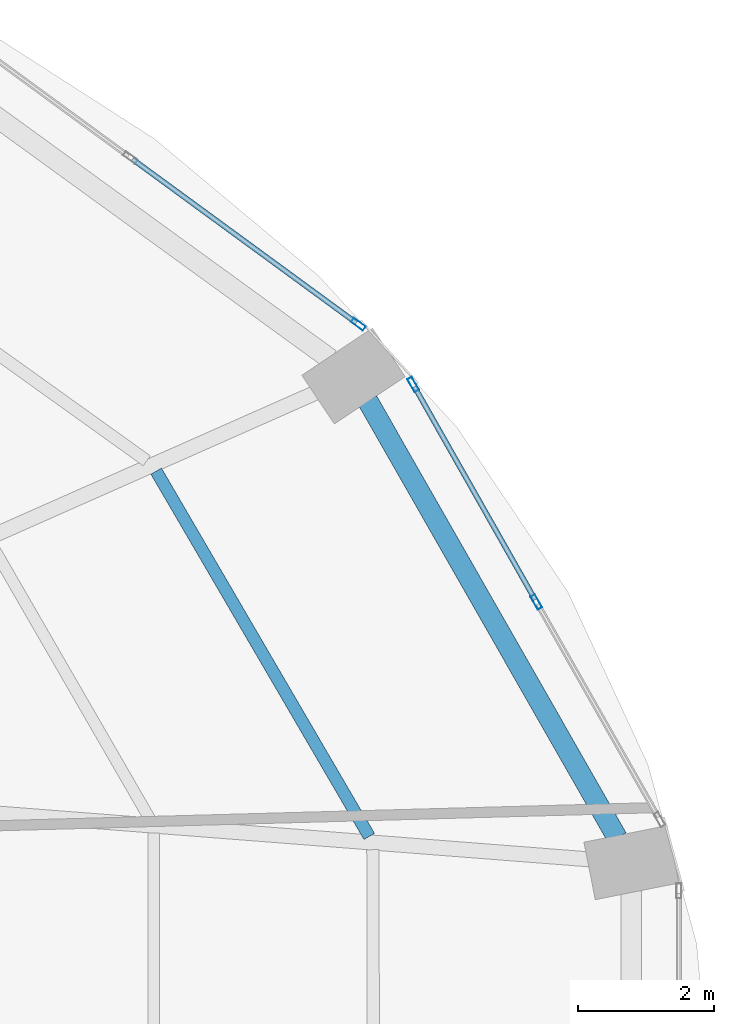
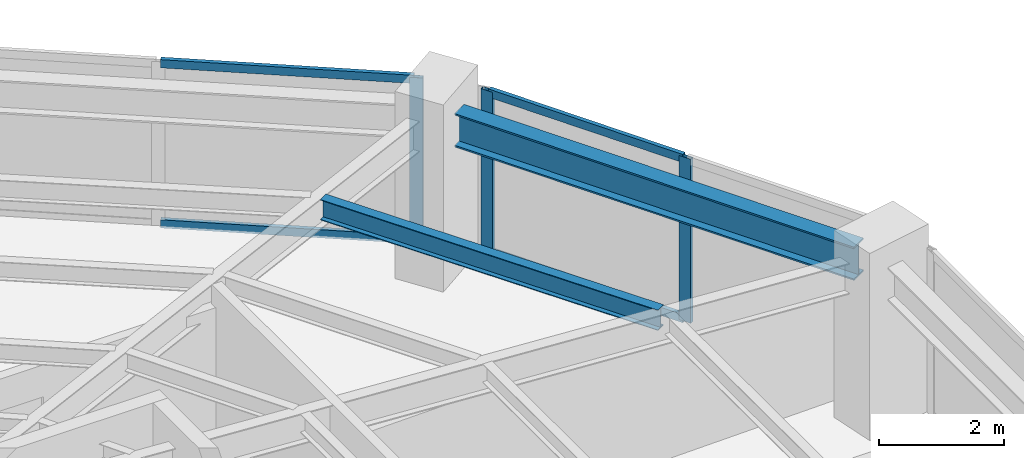
# One storey, part 18 of 24: 7 members, 2 beams, 2 elements without a shape of their own.
"""IFC4 building model written with IfcOpenShell, lengths in metres."""

import ifcopenshell
import ifcopenshell.guid

model = None  # the IFC model being written
_history = None  # IfcOwnerHistory: only IFC2X3 demands one
_inside = {}  # id of a spatial element -> (the spatial element, [elements in it])
_under = {}  # id of a project, library or spatial element -> (it, [spatial elements below it])
_declared = {}  # id of a project -> (the project, [libraries it declares])
_typed = {}  # id of a type object -> (the type object, [elements of that type])
_made_of = {}  # id of a material, layer set ... -> (it, [elements and type objects made of it])


def new_model(schema):
    """Start an empty IFC model of exactly this schema.

    Asked for "IFC4X3", IfcOpenShell would pick the latest addendum, in which some entities
    have other attributes; the version numbers below select the first issue.
    IFC2X3 requires an IfcOwnerHistory on every rooted entity: one is made here for all.
    """
    global model, _history
    if schema == "IFC4X3":
        model = ifcopenshell.file(schema_version=(4, 3, 0, 0))
    else:
        model = ifcopenshell.file(schema=schema)
    _inside.clear()
    _under.clear()
    _declared.clear()
    _typed.clear()
    _made_of.clear()
    _history = None
    if model.schema == "IFC2X3":
        org = make("IfcOrganization", Name="unknown")
        user = make(
            "IfcPersonAndOrganization",
            ThePerson=make("IfcPerson", FamilyName="unknown"),
            TheOrganization=org,
        )
        app = make(
            "IfcApplication",
            ApplicationDeveloper=org,
            Version="unknown",
            ApplicationFullName="unknown",
            ApplicationIdentifier="unknown",
        )
        _history = make(
            "IfcOwnerHistory",
            OwningUser=user,
            OwningApplication=app,
            ChangeAction="ADDED",
            CreationDate=0,
        )
    return model


def make(cls, **values):
    """One entity of the class cls with the attributes given. An attribute that is None is left unset."""
    return model.create_entity(
        cls, **{name: value for name, value in values.items() if value is not None}
    )


def rooted(cls, **values):
    """An entity with a GlobalId (a new one), such as an element, a storey or a relation."""
    return make(cls, GlobalId=ifcopenshell.guid.new(), OwnerHistory=_history, **values)


def si_unit(unit_type, name, prefix=None):
    """IfcSIUnit, for example si_unit("LENGTHUNIT", "METRE", prefix="MILLI")."""
    return make("IfcSIUnit", UnitType=unit_type, Prefix=prefix, Name=name)


def assignment(units):
    """IfcUnitAssignment: the units of a project."""
    return None if units is None else make("IfcUnitAssignment", Units=units)


def point(xyz):
    """IfcCartesianPoint."""
    return None if xyz is None else make("IfcCartesianPoint", Coordinates=xyz)


def direction(xyz):
    """IfcDirection."""
    return None if xyz is None else make("IfcDirection", DirectionRatios=xyz)


def frame(location, z_axis=None, x_axis=None):
    """IfcAxis2Placement3D, a coordinate frame: its origin and axes. An axis left out is left unset."""
    return make(
        "IfcAxis2Placement3D",
        Location=point(location),
        Axis=direction(z_axis),
        RefDirection=direction(x_axis),
    )


def frame_2d(location, x_axis=None):
    """IfcAxis2Placement2D, a coordinate frame in the plane: its origin and x axis."""
    return make(
        "IfcAxis2Placement2D", Location=point(location), RefDirection=direction(x_axis)
    )


def origin():
    """The frame at (0, 0, 0) with its axes left unset."""
    return frame((0.0, 0.0, 0.0))


def origin_2d():
    """The frame at (0, 0) in the plane with its x axis left unset."""
    return frame_2d((0.0, 0.0))


def place(relative_to, where):
    """IfcLocalPlacement: puts the frame where relative to a parent placement (None: the world)."""
    return make(
        "IfcLocalPlacement", PlacementRelTo=relative_to, RelativePlacement=where
    )


def context(
    kind, dimensions, precision=None, world=None, true_north=None, identifier=None
):
    """IfcGeometricRepresentationContext, for example the 3D "Model" context."""
    return make(
        "IfcGeometricRepresentationContext",
        ContextIdentifier=identifier,
        ContextType=kind,
        CoordinateSpaceDimension=dimensions,
        Precision=precision,
        WorldCoordinateSystem=world,
        TrueNorth=true_north,
    )


def subcontext(parent, identifier, kind, view, scale=None):
    """IfcGeometricRepresentationSubContext, for example "Body" below "Model"."""
    return make(
        "IfcGeometricRepresentationSubContext",
        ContextIdentifier=identifier,
        ContextType=kind,
        ParentContext=parent,
        TargetScale=scale,
        TargetView=view,
    )


def project(units=None, contexts=None):
    """IfcProject with its units and contexts."""
    return rooted(
        "IfcProject",
        Name="project",
        RepresentationContexts=contexts,
        UnitsInContext=assignment(units),
    )


def spatial(cls, under=None, at=None, **own):
    """A site, building, storey or space (cls), placed at a placement, below another one or the project."""
    s = rooted(cls, ObjectPlacement=at, **own)
    if under is not None:
        _under.setdefault(under.id(), (under, []))[1].append(s)
    return s


def profile(cls, at=None, kind="AREA", **sizes):
    """A parametric profile (cls). Its sizes go by their IFC names, for example OverallWidth=200.0."""
    return make(cls, ProfileType=kind, Position=at, **sizes)


def hollow_rectangle(**sizes):
    """IfcRectangleHollowProfileDef."""
    return profile("IfcRectangleHollowProfileDef", **sizes)


def i_section(**sizes):
    """IfcIShapeProfileDef."""
    return profile("IfcIShapeProfileDef", **sizes)


def extrude(swept, where, along, depth):
    """IfcExtrudedAreaSolid: the profile swept, set in the frame where, extruded along a direction by depth."""
    return make(
        "IfcExtrudedAreaSolid",
        SweptArea=swept,
        Position=where,
        ExtrudedDirection=direction(along),
        Depth=depth,
    )


def shape(context_of_items, identifier, shape_type, items):
    """IfcShapeRepresentation: the items that make up one representation, for example the "Body"."""
    return make(
        "IfcShapeRepresentation",
        ContextOfItems=context_of_items,
        RepresentationIdentifier=identifier,
        RepresentationType=shape_type,
        Items=items,
    )


def material(Name=None, Category=None):
    """IfcMaterial."""
    return make("IfcMaterial", Name=Name, Category=Category)


def layer(
    of_material, thickness, ventilated=None, Name=None, Category=None, Priority=None
):
    """IfcMaterialLayer: one layer of a wall or slab, of a material (None: an air gap)."""
    return make(
        "IfcMaterialLayer",
        Material=of_material,
        LayerThickness=thickness,
        IsVentilated=ventilated,
        Name=Name,
        Category=Category,
        Priority=Priority,
    )


def layer_set(layers, Name=None):
    """IfcMaterialLayerSet."""
    return make("IfcMaterialLayerSet", MaterialLayers=layers, LayerSetName=Name)


def material_profile(
    of_material, cross_section, Name=None, Category=None, Priority=None
):
    """IfcMaterialProfile: a cross section and its material."""
    return make(
        "IfcMaterialProfile",
        Name=Name,
        Material=of_material,
        Profile=cross_section,
        Priority=Priority,
        Category=Category,
    )


def profile_set(profiles, Name=None, composite=None):
    """IfcMaterialProfileSet."""
    return make(
        "IfcMaterialProfileSet",
        Name=Name,
        MaterialProfiles=profiles,
        CompositeProfile=composite,
    )


def made_of(thing, what):
    """Note that an element or type object is made of a material, layer set ...; save() writes the relation."""
    if what is not None:
        _made_of.setdefault(what.id(), (what, []))[1].append(thing)
    return thing


def type_object(cls, material=None, **own):
    """A type object (cls), such as IfcWallType, which elements share."""
    return made_of(rooted(cls, **own), material)


def element(
    cls,
    number,
    at=None,
    inside=None,
    cuts=None,
    type_object=None,
    material=None,
    context=None,
    identifier="Body",
    shape_type=None,
    held_by="IfcProductDefinitionShape",
    body=None,
    shapes=None,
    **own,
):
    """One element of the class cls, such as IfcWall. Its Tag is "e" and its number.

    at: its placement. inside: the storey or other place that contains it. cuts: it is an
    opening in that element (IfcRelVoidsElement). A single representation is given by context,
    identifier, shape_type and body (its items); several are given by shapes. held_by: the class
    of the entity that holds the representations. save() writes the other relations.
    """
    e = rooted(cls, Tag="e%d" % number, ObjectPlacement=at, **own)
    if body is not None:
        shapes = [shape(context, identifier, shape_type, body)]
    if shapes is not None:
        e.Representation = make(held_by, Representations=shapes)
    if inside is not None:
        _inside.setdefault(inside.id(), (inside, []))[1].append(e)
    if cuts is not None:
        rooted(
            "IfcRelVoidsElement", RelatingBuildingElement=cuts, RelatedOpeningElement=e
        )
    if type_object is not None:
        _typed.setdefault(type_object.id(), (type_object, []))[1].append(e)
    return made_of(e, material)


def aggregate(whole, parts):
    """IfcRelAggregates: a whole, such as a stair, and the parts it consists of."""
    return rooted("IfcRelAggregates", RelatingObject=whole, RelatedObjects=parts)


def save(model, path):
    """Write the relations noted so far, then the file.

    IfcRelAggregates (storeys below a building ...), IfcRelContainedInSpatialStructure (elements
    in a storey), IfcRelDefinesByType, IfcRelAssociatesMaterial and IfcRelDeclares: one each for
    every whole, place, type object, material and project.
    """
    for whole, parts in _under.values():
        aggregate(whole, parts)
    for where, things in _inside.values():
        rooted(
            "IfcRelContainedInSpatialStructure",
            RelatedElements=things,
            RelatingStructure=where,
        )
    for kind, things in _typed.values():
        rooted("IfcRelDefinesByType", RelatedObjects=things, RelatingType=kind)
    for what, things in _made_of.values():
        rooted("IfcRelAssociatesMaterial", RelatedObjects=things, RelatingMaterial=what)
    for by, libraries in _declared.values():
        rooted("IfcRelDeclares", RelatingContext=by, RelatedDefinitions=libraries)
    model.write(path)


model = new_model("IFC4")

# Units and contexts
model_context = context("Model", 3, precision=1e-05, world=origin(), true_north=direction((0.0, 1.0)))
body_context = subcontext(model_context, "Body", "Model", "MODEL_VIEW")
ifc_project = project(units=[si_unit("LENGTHUNIT", "METRE"), si_unit("AREAUNIT", "SQUARE_METRE"), si_unit("VOLUMEUNIT", "CUBIC_METRE"), si_unit("PLANEANGLEUNIT", "RADIAN"), si_unit("MASSUNIT", "GRAM", prefix="KILO")], contexts=[model_context])

# Site, building, storey
site_placement = place(None, origin())
site = spatial("IfcSite", under=ifc_project, at=site_placement, CompositionType="ELEMENT")
building_placement = place(site_placement, origin())
building = spatial("IfcBuilding", under=site, at=building_placement, Name="Lazwardi Medical Tower", CompositionType="ELEMENT")
storey_placement = place(building_placement, frame((0.0, 0.0, 72.6240234375)))
storey = spatial("IfcBuildingStorey", under=building, at=storey_placement, Name="L18", CompositionType="ELEMENT", Elevation=72.6240234375)

# Beams
ifc_material_1 = material(Name="Steel S355", Category="steel")
ifc_material_profile_1 = material_profile(ifc_material_1, i_section(OverallWidth=0.300048828125, OverallDepth=0.64990234375, WebThickness=0.01611328125, FlangeThickness=0.031005859375, at=origin_2d()), Name="HEB 650")
ifc_profile_set_1 = profile_set([ifc_material_profile_1], Name="Steel S355")
beam_type_1 = type_object("IfcBeamType", Name="BM-RB-Z1", PredefinedType="BEAM", material=ifc_profile_set_1)
beam_1_placement = place(storey_placement, frame((62.591796875, 34.63232421875, 2.873046875), z_axis=(-0.49581512241, 0.868428099724, 0.0), x_axis=(-0.868428099724, -0.49581512241, 0.0)))
element("IfcBeam", 1, at=beam_1_placement, inside=storey, type_object=beam_type_1, Name="Ring beam RB-02 B05 L18", PredefinedType="BEAM", context=body_context, shape_type="SweptSolid", body=[
    extrude(i_section(OverallWidth=0.300048828125, OverallDepth=0.64990234375, WebThickness=0.01611328125, FlangeThickness=0.031005859375, at=origin_2d()), origin(), (0.0, 0.0, 1.0), 7.389404296875),
])
ifc_material_profile_2 = material_profile(ifc_material_1, i_section(OverallWidth=0.179931640625, OverallDepth=0.39990234375, WebThickness=0.008544921875, FlangeThickness=0.013427734375, at=origin_2d()), Name="IPE 400")
ifc_profile_set_2 = profile_set([ifc_material_profile_2], Name="Steel S355")
beam_type_2 = type_object("IfcBeamType", Name="BM-SJ-01", PredefinedType="JOIST", material=ifc_profile_set_2)
beam_2_placement = place(storey_placement, frame((58.951171875, 34.65234375, 2.998046875), z_axis=(-0.503846579557, 0.863793160582, 0.0), x_axis=(-0.863793160582, -0.503846579557, 0.0)))
element("IfcBeam", 2, at=beam_2_placement, inside=storey, type_object=beam_type_2, Name="Secondary joist SJ-01 R1 B05 L18", PredefinedType="JOIST", context=body_context, shape_type="SweptSolid", body=[
    extrude(i_section(OverallWidth=0.179931640625, OverallDepth=0.39990234375, WebThickness=0.008544921875, FlangeThickness=0.013427734375, at=origin_2d()), origin(), (0.0, 0.0, 1.0), 6.20947265625),
])

# Curtain wall, members
ifc_material_2 = material(Name="Anodised bronze aluminium and solar control glazing", Category="aluminium")
ifc_layer = layer(ifc_material_2, 0.199951171875)
ifc_layer_set = layer_set([ifc_layer], Name="Anodised bronze aluminium and solar control glazing")
curtain_wall_type = type_object("IfcCurtainWallType", Name="CW-SYS-02", PredefinedType="NOTDEFINED", material=ifc_layer_set)
curtain_wall_1_placement = place(storey_placement, origin())
curtain_wall_1 = element("IfcCurtainWall", 3, at=curtain_wall_1_placement, inside=storey, type_object=curtain_wall_type, Name="L18 Unitised bronze curtain wall CW-02", PredefinedType="NOTDEFINED")
ifc_material_3 = material(Name="Anodised bronze aluminium", Category="aluminium")
ifc_material_profile_3 = material_profile(ifc_material_3, hollow_rectangle(XDim=0.074951171875, YDim=0.219970703125, WallThickness=0.00390625, at=origin_2d()), Name="ALU-MULLION 220x75x4")
ifc_profile_set_3 = profile_set([ifc_material_profile_3], Name="Anodised bronze aluminium")
member_type_1 = type_object("IfcMemberType", Name="CW-MUL-01", PredefinedType="MULLION", material=ifc_profile_set_3)
member_1_placement = place(storey_placement, frame((61.4052734375, 38.095458984375, 0.0), z_axis=(0.0, 0.0, 1.0), x_axis=(-0.870111838823, -0.492854327303, 0.0)))
member_1 = element("IfcMember", 4, at=member_1_placement, type_object=member_type_1, Name="CW-02 mullion 2", PredefinedType="MULLION", context=body_context, shape_type="SweptSolid", body=[
    extrude(hollow_rectangle(XDim=0.074951171875, YDim=0.219970703125, WallThickness=0.00390625, at=origin_2d()), origin(), (0.0, 0.0, 1.0), 3.197998046875),
])
member_2_placement = place(storey_placement, frame((59.5966796875, 41.28857421875, 0.0), z_axis=(0.0, 0.0, 1.0), x_axis=(-0.870111838823, -0.492854327303, 0.0)))
member_2 = element("IfcMember", 5, at=member_2_placement, type_object=member_type_1, Name="CW-02 mullion 3", PredefinedType="MULLION", context=body_context, shape_type="SweptSolid", body=[
    extrude(hollow_rectangle(XDim=0.074951171875, YDim=0.219970703125, WallThickness=0.00390625, at=origin_2d()), origin(), (0.0, 0.0, 1.0), 3.197998046875),
])

# Curtain wall, member
curtain_wall_2_placement = place(storey_placement, origin())
curtain_wall_2 = element("IfcCurtainWall", 6, at=curtain_wall_2_placement, inside=storey, type_object=curtain_wall_type, Name="L18 Unitised bronze curtain wall CW-02", PredefinedType="NOTDEFINED")
member_3_placement = place(storey_placement, frame((58.790283203125, 42.172607421875, 0.0), z_axis=(0.0, 0.0, 1.0), x_axis=(-0.590289307341, -0.807191757663, 0.0)))
member_3 = element("IfcMember", 7, at=member_3_placement, type_object=member_type_1, Name="CW-02 mullion 1", PredefinedType="MULLION", context=body_context, shape_type="SweptSolid", body=[
    extrude(hollow_rectangle(XDim=0.074951171875, YDim=0.219970703125, WallThickness=0.00390625, at=origin_2d()), origin(), (0.0, 0.0, 1.0), 3.197998046875),
])

# Member
ifc_material_profile_4 = material_profile(ifc_material_3, hollow_rectangle(XDim=0.074951171875, YDim=0.159912109375, WallThickness=0.00390625, at=origin_2d()), Name="ALU-TRANSOM 160x75x4")
ifc_profile_set_4 = profile_set([ifc_material_profile_4], Name="Anodised bronze aluminium")
member_type_2 = type_object("IfcMemberType", Name="CW-TRN-01", PredefinedType="USERDEFINED", material=ifc_profile_set_4)
member_4_placement = place(storey_placement, frame((61.386962890625, 38.128173828125, 0.03759765625), z_axis=(-0.492880614687, 0.870096948429, 0.0), x_axis=(-0.870096948429, -0.492880614687, 0.0)))
member_4 = element("IfcMember", 8, at=member_4_placement, type_object=member_type_2, Name="CW-02 transom 2.1", ObjectType="TRANSOM", PredefinedType="USERDEFINED", context=body_context, shape_type="SweptSolid", body=[
    extrude(hollow_rectangle(XDim=0.074951171875, YDim=0.159912109375, WallThickness=0.00390625, at=origin_2d()), origin(), (0.0, 0.0, 1.0), 3.5947265625),
])

member_5_placement = place(storey_placement, frame((61.386962890625, 38.128173828125, 3.160400390625), z_axis=(-0.492880614687, 0.870096948429, 0.0), x_axis=(-0.870096948429, -0.492880614687, 0.0)))
member_5 = element("IfcMember", 9, at=member_5_placement, type_object=member_type_2, Name="CW-02 transom 2.2", ObjectType="TRANSOM", PredefinedType="USERDEFINED", context=body_context, shape_type="SweptSolid", body=[
    extrude(hollow_rectangle(XDim=0.074951171875, YDim=0.159912109375, WallThickness=0.00390625, at=origin_2d()), origin(), (0.0, 0.0, 1.0), 3.5947265625),
])

aggregate(curtain_wall_1, [member_1, member_2, member_4, member_5])

member_6_placement = place(storey_placement, frame((58.760009765625, 42.194580078125, 0.03759765625), z_axis=(-0.807189956199, 0.590291770748, 0.0), x_axis=(-0.590291770748, -0.807189956199, 0.0)))
member_6 = element("IfcMember", 10, at=member_6_placement, type_object=member_type_2, Name="CW-02 transom 1.1", ObjectType="TRANSOM", PredefinedType="USERDEFINED", context=body_context, shape_type="SweptSolid", body=[
    extrude(hollow_rectangle(XDim=0.074951171875, YDim=0.159912109375, WallThickness=0.00390625, at=origin_2d()), origin(), (0.0, 0.0, 1.0), 4.070068359375),
])

member_7_placement = place(storey_placement, frame((58.760009765625, 42.194580078125, 3.160400390625), z_axis=(-0.807189956199, 0.590291770748, 0.0), x_axis=(-0.590291770748, -0.807189956199, 0.0)))
member_7 = element("IfcMember", 11, at=member_7_placement, type_object=member_type_2, Name="CW-02 transom 1.2", ObjectType="TRANSOM", PredefinedType="USERDEFINED", context=body_context, shape_type="SweptSolid", body=[
    extrude(hollow_rectangle(XDim=0.074951171875, YDim=0.159912109375, WallThickness=0.00390625, at=origin_2d()), origin(), (0.0, 0.0, 1.0), 4.070068359375),
])

aggregate(curtain_wall_2, [member_3, member_6, member_7])

save(model, "model.ifc")
